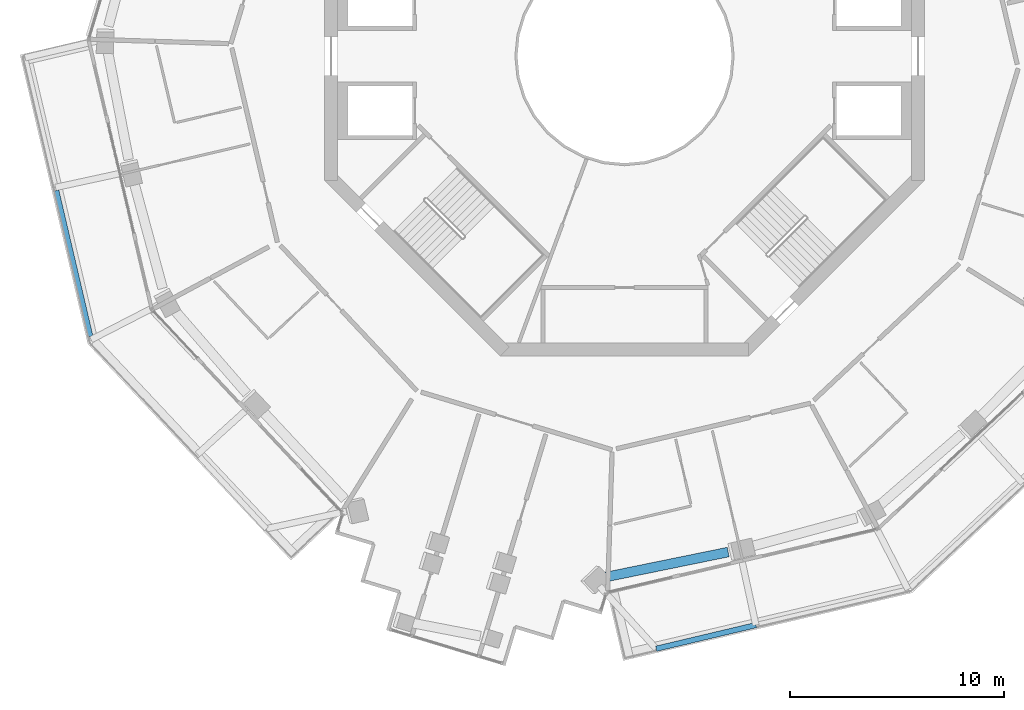
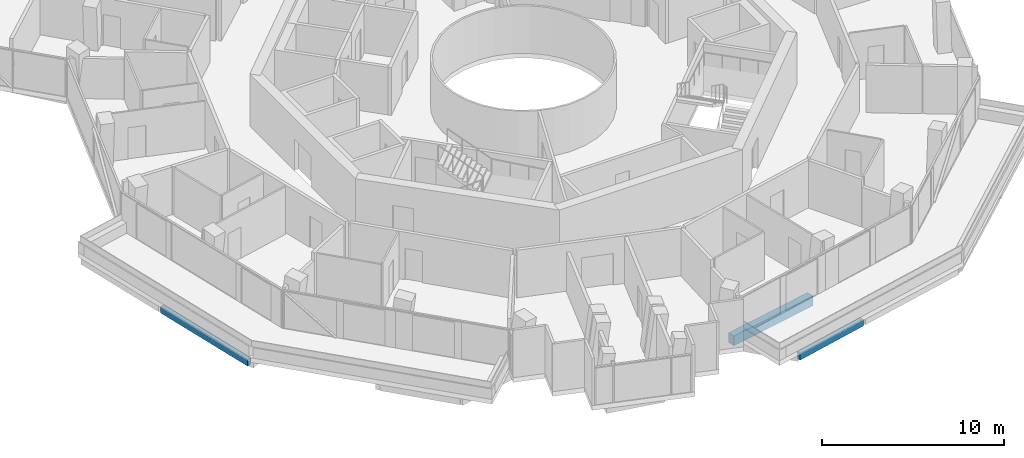
# One storey, part 3 of 24: 3 beams.
"""IFC4 building model written with IfcOpenShell, lengths in metres."""

from ifc_helpers import new_model, si_unit, direction, frame, origin, origin_2d, place, context, subcontext, project, spatial, rectangle, extrude, material, material_profile, profile_set, type_object, element, save


model = new_model("IFC4")

# Units and contexts
model_context = context("Model", 3, precision=1e-05, world=origin(), true_north=direction((0.0, 1.0)))
body_context = subcontext(model_context, "Body", "Model", "MODEL_VIEW")
ifc_project = project(units=[si_unit("LENGTHUNIT", "METRE"), si_unit("AREAUNIT", "SQUARE_METRE"), si_unit("VOLUMEUNIT", "CUBIC_METRE"), si_unit("PLANEANGLEUNIT", "RADIAN"), si_unit("MASSUNIT", "GRAM", prefix="KILO")], contexts=[model_context])

# Site, building, storey
site_placement = place(None, origin())
site = spatial("IfcSite", under=ifc_project, at=site_placement, CompositionType="ELEMENT")
building_placement = place(site_placement, origin())
building = spatial("IfcBuilding", under=site, at=building_placement, Name="Verdalira Terraces Hotel", CompositionType="ELEMENT")
storey_placement = place(building_placement, frame((0.0, 0.0, 209.0)))
storey = spatial("IfcBuildingStorey", under=building, at=storey_placement, Name="L51", CompositionType="ELEMENT", Elevation=209.0)

# Beams
ifc_material_1 = material(Name="Concrete C40", Category="concrete")
ifc_material_profile_1 = material_profile(ifc_material_1, rectangle(XDim=0.25, YDim=0.449951, at=origin_2d()), Name="RC 250X450")
ifc_profile_set_1 = profile_set([ifc_material_profile_1], Name="Concrete C40")
beam_type_1 = type_object("IfcBeamType", Name="Balcony edge beam RC 250X450 C40", PredefinedType="BEAM", material=ifc_profile_set_1)
beam_1_placement = place(storey_placement, frame((-26.525879, -6.277588, -0.534912), z_axis=(0.227567438, -0.973762323, 0.0), x_axis=(0.973762323, 0.227567438, 0.0)))
element("IfcBeam", 1, at=beam_1_placement, inside=storey, type_object=beam_type_1, Name="Balcony edge beam R12-3", PredefinedType="BEAM", context=body_context, shape_type="SweptSolid", body=[
    extrude(rectangle(XDim=0.25, YDim=0.449951, at=origin_2d()), origin(), (0.0, 0.0, 1.0), 6.990479),
])
beam_2_placement = place(storey_placement, frame((1.482666, -27.663086, -0.534912), z_axis=(0.972987933, 0.230855975, 0.0), x_axis=(-0.230855975, 0.972987933, 0.0)))
element("IfcBeam", 2, at=beam_2_placement, inside=storey, type_object=beam_type_1, Name="Balcony edge beam R25-1", PredefinedType="BEAM", context=body_context, shape_type="SweptSolid", body=[
    extrude(rectangle(XDim=0.25, YDim=0.449951, at=origin_2d()), origin(), (0.0, 0.0, 1.0), 4.778076),
])
ifc_material_2 = material(Name="Concrete C50", Category="concrete")
ifc_material_profile_2 = material_profile(ifc_material_2, rectangle(XDim=0.449951, YDim=0.649902, at=origin_2d()), Name="RC 450X650")
ifc_profile_set_2 = profile_set([ifc_material_profile_2], Name="Concrete C50")
beam_type_2 = type_object("IfcBeamType", Name="Spandrel beam RC 450X650 C50", PredefinedType="SPANDREL", material=ifc_profile_set_2)
beam_3_placement = place(storey_placement, frame((-0.858398, -24.313232, -0.63501), z_axis=(0.979782896, 0.20006368, 0.0), x_axis=(-0.20006368, 0.979782896, 0.0)))
element("IfcBeam", 3, at=beam_3_placement, inside=storey, type_object=beam_type_2, Name="Spandrel beam B11", PredefinedType="SPANDREL", context=body_context, shape_type="SweptSolid", body=[
    extrude(rectangle(XDim=0.449951, YDim=0.649902, at=origin_2d()), origin(), (0.0, 0.0, 1.0), 5.813477),
])

save(model, "model.ifc")
